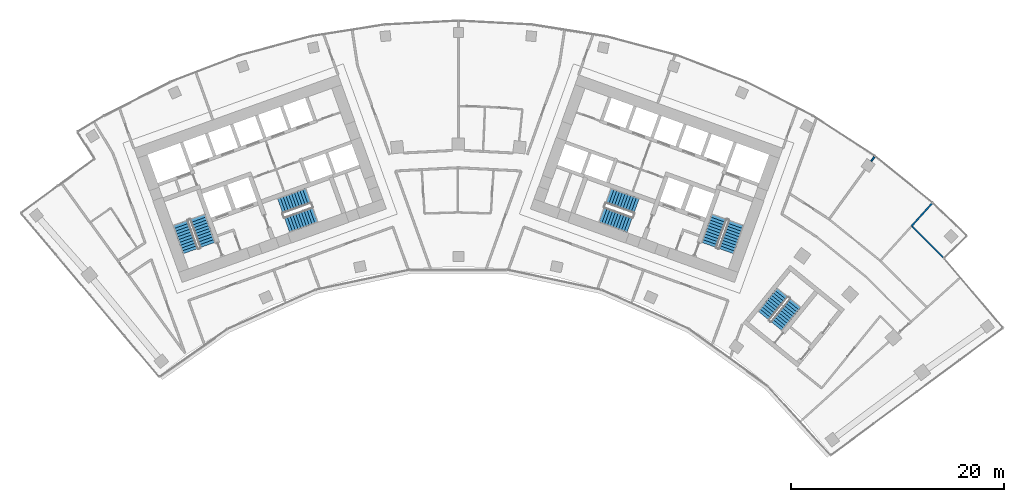
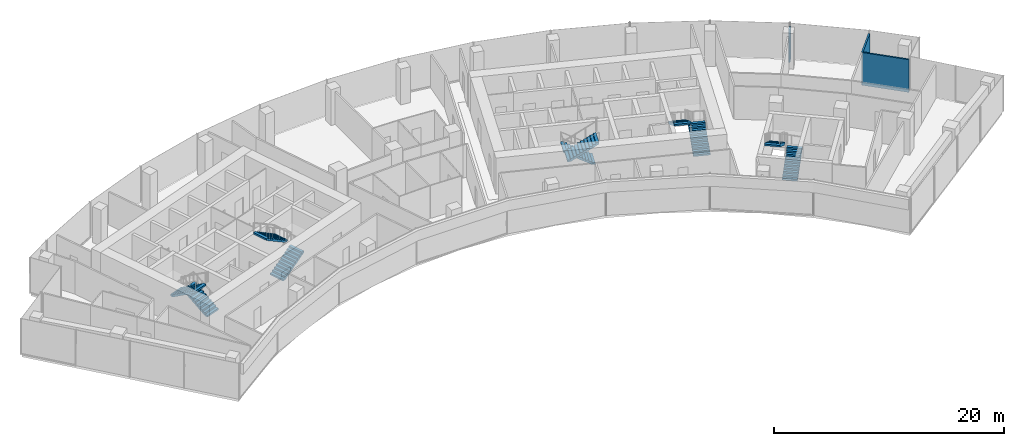
# One storey, part 15 of 16: 10 stair flights, 3 walls, 5 elements without a shape of their own.
"""IFC4 building model written with IfcOpenShell, lengths in metres."""

from ifc_helpers import new_model, si_unit, direction, frame, frame_2d, origin, place, context, subcontext, project, spatial, polyline, rectangle, outline, extrude, material, layer, layer_set, type_object, element, aggregate, save


model = new_model("IFC4")

# Units and contexts
model_context = context("Model", 3, precision=1e-05, world=origin(), true_north=direction((0.0, 1.0)))
body_context = subcontext(model_context, "Body", "Model", "MODEL_VIEW")
ifc_project = project(units=[si_unit("LENGTHUNIT", "METRE"), si_unit("AREAUNIT", "SQUARE_METRE"), si_unit("VOLUMEUNIT", "CUBIC_METRE"), si_unit("PLANEANGLEUNIT", "RADIAN"), si_unit("MASSUNIT", "GRAM", prefix="KILO")], contexts=[model_context])

# Site, building, storey
site_placement = place(None, origin())
site = spatial("IfcSite", under=ifc_project, at=site_placement, CompositionType="ELEMENT")
building_placement = place(site_placement, origin())
building = spatial("IfcBuilding", under=site, at=building_placement, Name="Stone Belt Terrace Tower", CompositionType="ELEMENT")
storey_placement = place(building_placement, frame((0.0, 0.0, 242.800048828125)))
storey = spatial("IfcBuildingStorey", under=building, at=storey_placement, Name="L59", CompositionType="ELEMENT", Elevation=242.800048828125)

# Walls
ifc_material_1 = material(Name="Gypsum board partition")
ifc_layer = layer(ifc_material_1, 0.14990234375)
ifc_layer_set = layer_set([ifc_layer], Name="PARTITION 150 EI 60")
wall_type = type_object("IfcWallType", Name="PARTITION 150 EI 60", PredefinedType="PARTITIONING", material=ifc_layer_set)
wall_1_placement = place(storey_placement, frame((39.087890625, 53.7998046875, 0.0), z_axis=(0.0, 0.0, 1.0), x_axis=(-0.588057050604, -0.808819451568, 0.0)))
element("IfcWall", 1, at=wall_1_placement, inside=storey, type_object=wall_type, Name="L59/wall/i057", PredefinedType="PARTITIONING", context=body_context, shape_type="SweptSolid", body=[
    extrude(rectangle(XDim=0.506591796875, YDim=0.14990234375, at=frame_2d((0.25341796875, 0.0))), origin(), (0.0, 0.0, 1.0), 3.47998046875),
])
wall_2_placement = place(storey_placement, frame((44.496826171875, 49.419189453125, 0.0), z_axis=(0.0, 0.0, 1.0), x_axis=(-0.669158170693, -0.743120005514, 0.0)))
element("IfcWall", 2, at=wall_2_placement, inside=storey, type_object=wall_type, Name="L59/wall/i060", PredefinedType="PARTITIONING", context=body_context, shape_type="SweptSolid", body=[
    extrude(rectangle(XDim=2.858642578125, YDim=0.14990234375, at=frame_2d((1.42919921875, 0.0))), origin(), (0.0, 0.0, 1.0), 3.47998046875),
])
wall_3_placement = place(storey_placement, frame((42.587890625, 47.299072265625, 0.0), z_axis=(0.0, 0.0, 1.0), x_axis=(0.707106781187, -0.707106781187, 0.0)))
element("IfcWall", 3, at=wall_3_placement, inside=storey, type_object=wall_type, Name="L59/wall/i061", PredefinedType="PARTITIONING", context=body_context, shape_type="SweptSolid", body=[
    extrude(rectangle(XDim=4.2099609375, YDim=0.14990234375, at=frame_2d((2.10498046875, 0.0))), origin(), (0.0, 0.0, 1.0), 3.47998046875),
])

# Stair, stair flights
ifc_material_2 = material(Name="Concrete B40", Category="concrete")
stair_type = type_object("IfcStairType", Name="Exit stair 1500", PredefinedType="HALF_TURN_STAIR", material=ifc_material_2)
stair_1_placement = place(storey_placement, origin())
stair_1 = element("IfcStair", 4, at=stair_1_placement, inside=storey, type_object=stair_type, Name="L59 Exit stair 1 core A", PredefinedType="HALF_TURN_STAIR")
stair_flight_type = type_object("IfcStairFlightType", Name="Stair flight 1500", PredefinedType="STRAIGHT", material=ifc_material_2)
stair_flight_1_placement = place(storey_placement, frame((-23.55322265625, 45.51318359375, 0.0), z_axis=(0.0, 0.0, 1.0), x_axis=(-0.338624396177, 0.940921632398, 0.0)))
stair_flight_1 = element("IfcStairFlight", 5, at=stair_flight_1_placement, type_object=stair_flight_type, Name="ST1A flight 1", NumberOfRisers=11, NumberOfTreads=10, PredefinedType="STRAIGHT", RiserHeight=0.172727273, TreadLength=0.28, context=body_context, shape_type="SweptSolid", body=[
    extrude(outline(polyline([(0.0, 0.0), (0.0, 0.172607421875), (0.280029296875, 0.172607421875), (0.280029296875, 0.345458984375), (0.56005859375, 0.345458984375), (0.56005859375, 0.51806640625), (0.840087890625, 0.51806640625), (0.840087890625, 0.69091796875), (1.1201171875, 0.69091796875), (1.1201171875, 0.863525390625), (1.39990234375, 0.863525390625), (1.39990234375, 1.036376953125), (1.679931640625, 1.036376953125), (1.679931640625, 1.208984375), (1.9599609375, 1.208984375), (1.9599609375, 1.3818359375), (2.239990234375, 1.3818359375), (2.239990234375, 1.554443359375), (2.52001953125, 1.554443359375), (2.52001953125, 1.727294921875), (2.800048828125, 1.727294921875), (2.800048828125, 1.89990234375), (2.800048828125, 1.551025390625), (0.285400390625, 0.0), (0.0, 0.0)])), frame((0.0, 0.75, 0.0), z_axis=(0.0, -1.0, 0.0), x_axis=(1.0, 0.0, 0.0)), (0.0, 0.0, 1.0), 1.5),
])
stair_flight_2_placement = place(storey_placement, frame((-26.10107421875, 47.572021484375, 1.89990234375), z_axis=(0.0, 0.0, 1.0), x_axis=(0.338624396177, -0.940921632398, 0.0)))
stair_flight_2 = element("IfcStairFlight", 6, at=stair_flight_2_placement, type_object=stair_flight_type, Name="ST1A flight 2", NumberOfRisers=11, NumberOfTreads=10, PredefinedType="STRAIGHT", RiserHeight=0.172727273, TreadLength=0.28, context=body_context, shape_type="SweptSolid", body=[
    extrude(outline(polyline([(0.0, 0.0), (0.0, 0.172607421875), (0.280029296875, 0.172607421875), (0.280029296875, 0.345458984375), (0.56005859375, 0.345458984375), (0.56005859375, 0.51806640625), (0.840087890625, 0.51806640625), (0.840087890625, 0.69091796875), (1.1201171875, 0.69091796875), (1.1201171875, 0.863525390625), (1.39990234375, 0.863525390625), (1.39990234375, 1.036376953125), (1.679931640625, 1.036376953125), (1.679931640625, 1.208984375), (1.9599609375, 1.208984375), (1.9599609375, 1.3818359375), (2.239990234375, 1.3818359375), (2.239990234375, 1.554443359375), (2.52001953125, 1.554443359375), (2.52001953125, 1.727294921875), (2.800048828125, 1.727294921875), (2.800048828125, 1.89990234375), (2.800048828125, 1.551025390625), (0.285400390625, 0.0), (0.0, 0.0)])), frame((0.0, 0.75, 0.0), z_axis=(0.0, -1.0, 0.0), x_axis=(1.0, 0.0, 0.0)), (0.0, 0.0, 1.0), 1.5),
])
aggregate(stair_1, [stair_flight_1, stair_flight_2])

stair_2_placement = place(storey_placement, origin())
stair_2 = element("IfcStair", 7, at=stair_2_placement, inside=storey, type_object=stair_type, Name="L59 Exit stair 2 core A", PredefinedType="HALF_TURN_STAIR")
stair_flight_3_placement = place(storey_placement, frame((-16.101318359375, 47.39794921875, 0.0), z_axis=(0.0, 0.0, 1.0), x_axis=(0.940921632398, 0.338624396177, 0.0)))
stair_flight_3 = element("IfcStairFlight", 8, at=stair_flight_3_placement, type_object=stair_flight_type, Name="ST2A flight 1", NumberOfRisers=11, NumberOfTreads=10, PredefinedType="STRAIGHT", RiserHeight=0.172727273, TreadLength=0.28, context=body_context, shape_type="SweptSolid", body=[
    extrude(outline(polyline([(0.0, 0.0), (0.0, 0.172607421875), (0.280029296875, 0.172607421875), (0.280029296875, 0.345458984375), (0.56005859375, 0.345458984375), (0.56005859375, 0.51806640625), (0.840087890625, 0.51806640625), (0.840087890625, 0.69091796875), (1.1201171875, 0.69091796875), (1.1201171875, 0.863525390625), (1.39990234375, 0.863525390625), (1.39990234375, 1.036376953125), (1.679931640625, 1.036376953125), (1.679931640625, 1.208984375), (1.9599609375, 1.208984375), (1.9599609375, 1.3818359375), (2.239990234375, 1.3818359375), (2.239990234375, 1.554443359375), (2.52001953125, 1.554443359375), (2.52001953125, 1.727294921875), (2.800048828125, 1.727294921875), (2.800048828125, 1.89990234375), (2.800048828125, 1.551025390625), (0.285400390625, 0.0), (0.0, 0.0)])), frame((0.0, 0.75, 0.0), z_axis=(0.0, -1.0, 0.0), x_axis=(1.0, 0.0, 0.0)), (0.0, 0.0, 1.0), 1.5),
])
stair_flight_4_placement = place(storey_placement, frame((-14.110107421875, 50.1337890625, 1.89990234375), z_axis=(0.0, 0.0, 1.0), x_axis=(-0.940921632398, -0.338624396177, 0.0)))
stair_flight_4 = element("IfcStairFlight", 9, at=stair_flight_4_placement, type_object=stair_flight_type, Name="ST2A flight 2", NumberOfRisers=11, NumberOfTreads=10, PredefinedType="STRAIGHT", RiserHeight=0.172727273, TreadLength=0.28, context=body_context, shape_type="SweptSolid", body=[
    extrude(outline(polyline([(0.0, 0.0), (0.0, 0.172607421875), (0.280029296875, 0.172607421875), (0.280029296875, 0.345458984375), (0.56005859375, 0.345458984375), (0.56005859375, 0.51806640625), (0.840087890625, 0.51806640625), (0.840087890625, 0.69091796875), (1.1201171875, 0.69091796875), (1.1201171875, 0.863525390625), (1.39990234375, 0.863525390625), (1.39990234375, 1.036376953125), (1.679931640625, 1.036376953125), (1.679931640625, 1.208984375), (1.9599609375, 1.208984375), (1.9599609375, 1.3818359375), (2.239990234375, 1.3818359375), (2.239990234375, 1.554443359375), (2.52001953125, 1.554443359375), (2.52001953125, 1.727294921875), (2.800048828125, 1.727294921875), (2.800048828125, 1.89990234375), (2.800048828125, 1.551025390625), (0.285400390625, 0.0), (0.0, 0.0)])), frame((0.0, 0.75, 0.0), z_axis=(0.0, -1.0, 0.0), x_axis=(1.0, 0.0, 0.0)), (0.0, 0.0, 1.0), 1.5),
])
aggregate(stair_2, [stair_flight_3, stair_flight_4])

stair_3_placement = place(storey_placement, origin())
stair_3 = element("IfcStair", 10, at=stair_3_placement, inside=storey, type_object=stair_type, Name="L59 Exit stair 1 core B", PredefinedType="HALF_TURN_STAIR")
stair_flight_5_placement = place(storey_placement, frame((25.15283203125, 44.9375, 0.0), z_axis=(0.0, 0.0, 1.0), x_axis=(0.338624396177, 0.940921632398, 0.0)))
stair_flight_5 = element("IfcStairFlight", 11, at=stair_flight_5_placement, type_object=stair_flight_type, Name="ST1B flight 1", NumberOfRisers=11, NumberOfTreads=10, PredefinedType="STRAIGHT", RiserHeight=0.172727273, TreadLength=0.28, context=body_context, shape_type="SweptSolid", body=[
    extrude(outline(polyline([(0.0, 0.0), (0.0, 0.172607421875), (0.280029296875, 0.172607421875), (0.280029296875, 0.345458984375), (0.56005859375, 0.345458984375), (0.56005859375, 0.51806640625), (0.840087890625, 0.51806640625), (0.840087890625, 0.69091796875), (1.1201171875, 0.69091796875), (1.1201171875, 0.863525390625), (1.39990234375, 0.863525390625), (1.39990234375, 1.036376953125), (1.679931640625, 1.036376953125), (1.679931640625, 1.208984375), (1.9599609375, 1.208984375), (1.9599609375, 1.3818359375), (2.239990234375, 1.3818359375), (2.239990234375, 1.554443359375), (2.52001953125, 1.554443359375), (2.52001953125, 1.727294921875), (2.800048828125, 1.727294921875), (2.800048828125, 1.89990234375), (2.800048828125, 1.551025390625), (0.285400390625, 0.0), (0.0, 0.0)])), frame((0.0, 0.75, 0.0), z_axis=(0.0, -1.0, 0.0), x_axis=(1.0, 0.0, 0.0)), (0.0, 0.0, 1.0), 1.5),
])
stair_flight_6_placement = place(storey_placement, frame((24.50146484375, 48.147705078125, 1.89990234375), z_axis=(0.0, 0.0, 1.0), x_axis=(-0.338624396177, -0.940921632398, 0.0)))
stair_flight_6 = element("IfcStairFlight", 12, at=stair_flight_6_placement, type_object=stair_flight_type, Name="ST1B flight 2", NumberOfRisers=11, NumberOfTreads=10, PredefinedType="STRAIGHT", RiserHeight=0.172727273, TreadLength=0.28, context=body_context, shape_type="SweptSolid", body=[
    extrude(outline(polyline([(0.0, 0.0), (0.0, 0.172607421875), (0.280029296875, 0.172607421875), (0.280029296875, 0.345458984375), (0.56005859375, 0.345458984375), (0.56005859375, 0.51806640625), (0.840087890625, 0.51806640625), (0.840087890625, 0.69091796875), (1.1201171875, 0.69091796875), (1.1201171875, 0.863525390625), (1.39990234375, 0.863525390625), (1.39990234375, 1.036376953125), (1.679931640625, 1.036376953125), (1.679931640625, 1.208984375), (1.9599609375, 1.208984375), (1.9599609375, 1.3818359375), (2.239990234375, 1.3818359375), (2.239990234375, 1.554443359375), (2.52001953125, 1.554443359375), (2.52001953125, 1.727294921875), (2.800048828125, 1.727294921875), (2.800048828125, 1.89990234375), (2.800048828125, 1.551025390625), (0.285400390625, 0.0), (0.0, 0.0)])), frame((0.0, 0.75, 0.0), z_axis=(0.0, -1.0, 0.0), x_axis=(1.0, 0.0, 0.0)), (0.0, 0.0, 1.0), 1.5),
])
aggregate(stair_3, [stair_flight_5, stair_flight_6])

stair_4_placement = place(storey_placement, origin())
stair_4 = element("IfcStair", 13, at=stair_4_placement, inside=storey, type_object=stair_type, Name="L59 Exit stair 2 core B", PredefinedType="HALF_TURN_STAIR")
stair_flight_7_placement = place(storey_placement, frame((16.74462890625, 49.185546875, 0.0), z_axis=(0.0, 0.0, 1.0), x_axis=(-0.940921632398, 0.338624396177, 0.0)))
stair_flight_7 = element("IfcStairFlight", 14, at=stair_flight_7_placement, type_object=stair_flight_type, Name="ST2B flight 1", NumberOfRisers=11, NumberOfTreads=10, PredefinedType="STRAIGHT", RiserHeight=0.172727273, TreadLength=0.28, context=body_context, shape_type="SweptSolid", body=[
    extrude(outline(polyline([(0.0, 0.0), (0.0, 0.172607421875), (0.280029296875, 0.172607421875), (0.280029296875, 0.345458984375), (0.56005859375, 0.345458984375), (0.56005859375, 0.51806640625), (0.840087890625, 0.51806640625), (0.840087890625, 0.69091796875), (1.1201171875, 0.69091796875), (1.1201171875, 0.863525390625), (1.39990234375, 0.863525390625), (1.39990234375, 1.036376953125), (1.679931640625, 1.036376953125), (1.679931640625, 1.208984375), (1.9599609375, 1.208984375), (1.9599609375, 1.3818359375), (2.239990234375, 1.3818359375), (2.239990234375, 1.554443359375), (2.52001953125, 1.554443359375), (2.52001953125, 1.727294921875), (2.800048828125, 1.727294921875), (2.800048828125, 1.89990234375), (2.800048828125, 1.551025390625), (0.285400390625, 0.0), (0.0, 0.0)])), frame((0.0, 0.75, 0.0), z_axis=(0.0, -1.0, 0.0), x_axis=(1.0, 0.0, 0.0)), (0.0, 0.0, 1.0), 1.5),
])
stair_flight_8_placement = place(storey_placement, frame((13.466796875, 48.345947265625, 1.89990234375), z_axis=(0.0, 0.0, 1.0), x_axis=(0.940921632398, -0.338624396177, 0.0)))
stair_flight_8 = element("IfcStairFlight", 15, at=stair_flight_8_placement, type_object=stair_flight_type, Name="ST2B flight 2", NumberOfRisers=11, NumberOfTreads=10, PredefinedType="STRAIGHT", RiserHeight=0.172727273, TreadLength=0.28, context=body_context, shape_type="SweptSolid", body=[
    extrude(outline(polyline([(0.0, 0.0), (0.0, 0.172607421875), (0.280029296875, 0.172607421875), (0.280029296875, 0.345458984375), (0.56005859375, 0.345458984375), (0.56005859375, 0.51806640625), (0.840087890625, 0.51806640625), (0.840087890625, 0.69091796875), (1.1201171875, 0.69091796875), (1.1201171875, 0.863525390625), (1.39990234375, 0.863525390625), (1.39990234375, 1.036376953125), (1.679931640625, 1.036376953125), (1.679931640625, 1.208984375), (1.9599609375, 1.208984375), (1.9599609375, 1.3818359375), (2.239990234375, 1.3818359375), (2.239990234375, 1.554443359375), (2.52001953125, 1.554443359375), (2.52001953125, 1.727294921875), (2.800048828125, 1.727294921875), (2.800048828125, 1.89990234375), (2.800048828125, 1.551025390625), (0.285400390625, 0.0), (0.0, 0.0)])), frame((0.0, 0.75, 0.0), z_axis=(0.0, -1.0, 0.0), x_axis=(1.0, 0.0, 0.0)), (0.0, 0.0, 1.0), 1.5),
])
aggregate(stair_4, [stair_flight_7, stair_flight_8])

stair_5_placement = place(storey_placement, origin())
stair_5 = element("IfcStair", 16, at=stair_5_placement, inside=storey, type_object=stair_type, Name="L59 Exit stair 3B", PredefinedType="HALF_TURN_STAIR")
stair_flight_9_placement = place(storey_placement, frame((29.88330078125, 37.887939453125, 0.0), z_axis=(0.0, 0.0, 1.0), x_axis=(0.630205749599, 0.776428176441, 0.0)))
stair_flight_9 = element("IfcStairFlight", 17, at=stair_flight_9_placement, type_object=stair_flight_type, Name="ST3B flight 1", NumberOfRisers=11, NumberOfTreads=10, PredefinedType="STRAIGHT", RiserHeight=0.172727273, TreadLength=0.28, context=body_context, shape_type="SweptSolid", body=[
    extrude(outline(polyline([(0.0, 0.0), (0.0, 0.172607421875), (0.280029296875, 0.172607421875), (0.280029296875, 0.345458984375), (0.56005859375, 0.345458984375), (0.56005859375, 0.51806640625), (0.840087890625, 0.51806640625), (0.840087890625, 0.69091796875), (1.1201171875, 0.69091796875), (1.1201171875, 0.863525390625), (1.39990234375, 0.863525390625), (1.39990234375, 1.036376953125), (1.679931640625, 1.036376953125), (1.679931640625, 1.208984375), (1.9599609375, 1.208984375), (1.9599609375, 1.3818359375), (2.239990234375, 1.3818359375), (2.239990234375, 1.554443359375), (2.52001953125, 1.554443359375), (2.52001953125, 1.727294921875), (2.800048828125, 1.727294921875), (2.800048828125, 1.89990234375), (2.800048828125, 1.551025390625), (0.285400390625, 0.0), (0.0, 0.0)])), frame((0.0, 0.675048828125, 0.0), z_axis=(0.0, -1.0, 0.0), x_axis=(1.0, 0.0, 0.0)), (0.0, 0.0, 1.0), 1.35009765625),
])
stair_flight_10_placement = place(storey_placement, frame((30.4443359375, 41.038818359375, 1.89990234375), z_axis=(0.0, 0.0, 1.0), x_axis=(-0.630205749599, -0.776428176441, 0.0)))
stair_flight_10 = element("IfcStairFlight", 18, at=stair_flight_10_placement, type_object=stair_flight_type, Name="ST3B flight 2", NumberOfRisers=11, NumberOfTreads=10, PredefinedType="STRAIGHT", RiserHeight=0.172727273, TreadLength=0.28, context=body_context, shape_type="SweptSolid", body=[
    extrude(outline(polyline([(0.0, 0.0), (0.0, 0.172607421875), (0.280029296875, 0.172607421875), (0.280029296875, 0.345458984375), (0.56005859375, 0.345458984375), (0.56005859375, 0.51806640625), (0.840087890625, 0.51806640625), (0.840087890625, 0.69091796875), (1.1201171875, 0.69091796875), (1.1201171875, 0.863525390625), (1.39990234375, 0.863525390625), (1.39990234375, 1.036376953125), (1.679931640625, 1.036376953125), (1.679931640625, 1.208984375), (1.9599609375, 1.208984375), (1.9599609375, 1.3818359375), (2.239990234375, 1.3818359375), (2.239990234375, 1.554443359375), (2.52001953125, 1.554443359375), (2.52001953125, 1.727294921875), (2.800048828125, 1.727294921875), (2.800048828125, 1.89990234375), (2.800048828125, 1.551025390625), (0.285400390625, 0.0), (0.0, 0.0)])), frame((0.0, 0.675048828125, 0.0), z_axis=(0.0, -1.0, 0.0), x_axis=(1.0, 0.0, 0.0)), (0.0, 0.0, 1.0), 1.35009765625),
])
aggregate(stair_5, [stair_flight_9, stair_flight_10])

save(model, "model.ifc")
